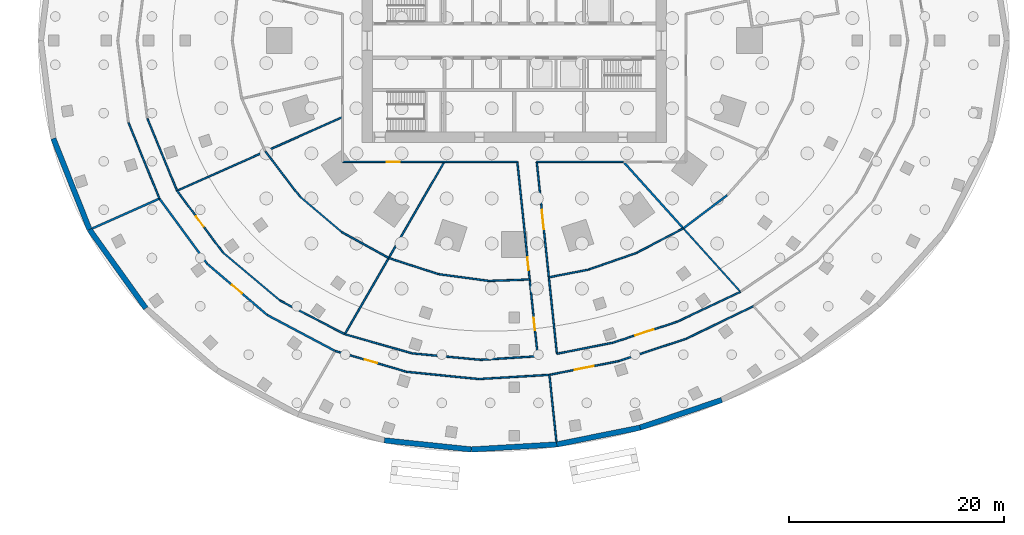
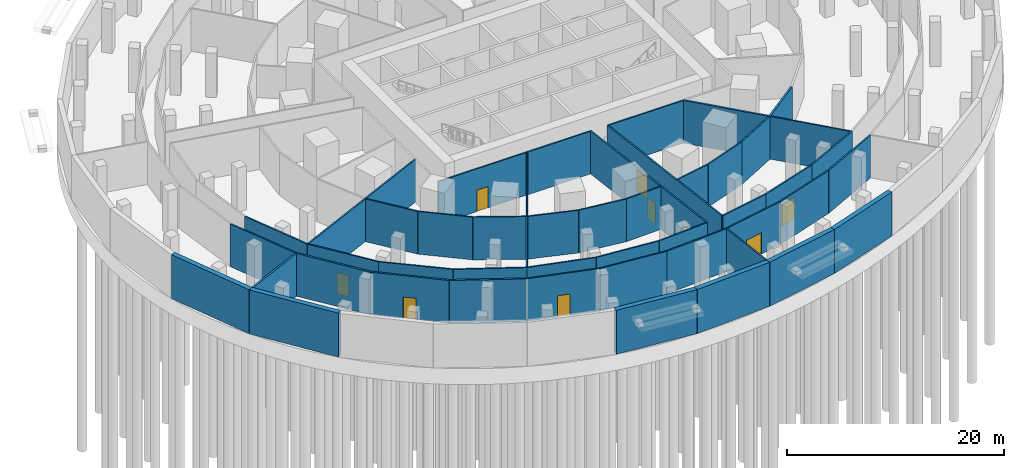
# One storey, part 4 of 11: 46 walls, 9 doors, 9 openings.
"""IFC4 building model written with IfcOpenShell, lengths in metres."""

from ifc_helpers import new_model, si_unit, direction, frame, frame_2d, origin, place, context, subcontext, project, spatial, rectangle, extrude, material, layer, layer_set, type_object, element, fill, save


model = new_model("IFC4")

# Units and contexts
model_context = context("Model", 3, precision=1e-05, world=origin(), true_north=direction((0.0, 1.0)))
body_context = subcontext(model_context, "Body", "Model", "MODEL_VIEW")
ifc_project = project(units=[si_unit("LENGTHUNIT", "METRE"), si_unit("AREAUNIT", "SQUARE_METRE"), si_unit("VOLUMEUNIT", "CUBIC_METRE"), si_unit("PLANEANGLEUNIT", "RADIAN"), si_unit("MASSUNIT", "GRAM", prefix="KILO")], contexts=[model_context])

# Site, building, storey
site_placement = place(None, origin())
site = spatial("IfcSite", under=ifc_project, at=site_placement, CompositionType="ELEMENT")
building_placement = place(site_placement, origin())
building = spatial("IfcBuilding", under=site, at=building_placement, Name="Marramba Exchange Tower", CompositionType="ELEMENT")
storey_placement = place(building_placement, frame((0.0, 0.0, -5.0)))
storey = spatial("IfcBuildingStorey", under=building, at=storey_placement, Name="B1", CompositionType="ELEMENT", Elevation=-5.0)

# Walls
ifc_material_1 = material(Name="Concrete N50", Category="concrete")
ifc_layer_1 = layer(ifc_material_1, 0.5)
ifc_layer_set_1 = layer_set([ifc_layer_1], Name="Basement retaining wall 500")
wall_type_1 = type_object("IfcWallType", Name="Basement retaining wall 500", PredefinedType="SOLIDWALL", material=ifc_layer_set_1)
wall_1_placement = place(storey_placement, frame((-42.9326171875, -9.125732421875, -0.14990234375), z_axis=(0.0, 0.0, 1.0), x_axis=(0.369269619769, -0.929322305724, 0.0)))
element("IfcWall", 1, at=wall_1_placement, inside=storey, type_object=wall_type_1, Name="Retaining wall RW1-17", PredefinedType="SOLIDWALL", context=body_context, shape_type="SweptSolid", body=[
    extrude(rectangle(XDim=9.133056640625, YDim=0.5, at=frame_2d((4.56640625, 0.0))), origin(), (0.0, 0.0, 1.0), 4.949951171875),
])
wall_2_placement = place(storey_placement, frame((-39.56005859375, -17.61328125, -0.14990234375), z_axis=(0.0, 0.0, 1.0), x_axis=(0.581684414847, -0.813414556991, 0.0)))
element("IfcWall", 2, at=wall_2_placement, inside=storey, type_object=wall_type_1, Name="Retaining wall RW1-18", PredefinedType="SOLIDWALL", context=body_context, shape_type="SweptSolid", body=[
    extrude(rectangle(XDim=9.003662109375, YDim=0.5, at=frame_2d((4.501953125, 0.0))), origin(), (0.0, 0.0, 1.0), 4.949951171875),
])
wall_3_placement = place(storey_placement, frame((-12.099609375, -37.238525390625, -0.14990234375), z_axis=(0.0, 0.0, 1.0), x_axis=(0.994576866519, -0.104004118113, 0.0)))
element("IfcWall", 3, at=wall_3_placement, inside=storey, type_object=wall_type_1, Name="Retaining wall RW1-22", PredefinedType="SOLIDWALL", context=body_context, shape_type="SweptSolid", body=[
    extrude(rectangle(XDim=8.140869140625, YDim=0.5, at=frame_2d((4.0703125, 0.0))), origin(), (0.0, 0.0, 1.0), 4.949951171875),
])
wall_4_placement = place(storey_placement, frame((-4.0029296875, -38.085205078125, -0.14990234375), z_axis=(0.0, 0.0, 1.0), x_axis=(0.998274478799, 0.058720226323, 0.0)))
element("IfcWall", 4, at=wall_4_placement, inside=storey, type_object=wall_type_1, Name="Retaining wall RW1-23", PredefinedType="SOLIDWALL", context=body_context, shape_type="SweptSolid", body=[
    extrude(rectangle(XDim=7.97021484375, YDim=0.5, at=frame_2d((3.985107421875, 0.0))), origin(), (0.0, 0.0, 1.0), 4.949951171875),
])
wall_5_placement = place(storey_placement, frame((3.95361328125, -37.6171875, -0.14990234375), z_axis=(0.0, 0.0, 1.0), x_axis=(0.980279440506, 0.197616341736, 0.0)))
element("IfcWall", 5, at=wall_5_placement, inside=storey, type_object=wall_type_1, Name="Retaining wall RW1-24", PredefinedType="SOLIDWALL", context=body_context, shape_type="SweptSolid", body=[
    extrude(rectangle(XDim=7.91650390625, YDim=0.5, at=frame_2d((3.958251953125, 0.0))), origin(), (0.0, 0.0, 1.0), 4.949951171875),
])
wall_6_placement = place(storey_placement, frame((11.714111328125, -36.052734375, -0.14990234375), z_axis=(0.0, 0.0, 1.0), x_axis=(0.94711032906, 0.320908124838, 0.0)))
element("IfcWall", 6, at=wall_6_placement, inside=storey, type_object=wall_type_1, Name="Retaining wall RW1-25", PredefinedType="SOLIDWALL", context=body_context, shape_type="SweptSolid", body=[
    extrude(rectangle(XDim=8.036865234375, YDim=0.5, at=frame_2d((4.0185546875, 0.0))), origin(), (0.0, 0.0, 1.0), 4.949951171875),
])
ifc_material_2 = material(Name="Core-filled concrete blockwork, rendered", Category="masonry")
ifc_layer_2 = layer(ifc_material_2, 0.18994140625)
ifc_layer_set_2 = layer_set([ifc_layer_2], Name="Equipment room wall 190")
wall_type_2 = type_object("IfcWallType", Name="Equipment room wall 190", PredefinedType="SOLIDWALL", material=ifc_layer_set_2)
wall_7_placement = place(storey_placement, frame((-33.054443359375, -14.716796875, 0.0), z_axis=(0.0, 0.0, 1.0), x_axis=(-0.913544372022, -0.40673908141, 0.0)))
element("IfcWall", 7, at=wall_7_placement, inside=storey, type_object=wall_type_2, Name="Equipment room wall B1 09", PredefinedType="SOLIDWALL", context=body_context, shape_type="SweptSolid", body=[
    extrude(rectangle(XDim=6.863037109375, YDim=0.18994140625, at=frame_2d((3.431640625, 0.0))), origin(), (0.0, 0.0, 1.0), 4.800048828125),
])
wall_8_placement = place(storey_placement, frame((-33.054443359375, -14.716796875, 0.0), z_axis=(0.0, 0.0, 1.0), x_axis=(0.590858446285, -0.806775245315, 0.0)))
element("IfcWall", 8, at=wall_8_placement, inside=storey, type_object=wall_type_2, Name="Equipment room wall B1 13", PredefinedType="SOLIDWALL", context=body_context, shape_type="SweptSolid", body=[
    extrude(rectangle(XDim=7.522705078125, YDim=0.18994140625, at=frame_2d((3.76123046875, 0.0))), origin(), (0.0, 0.0, 1.0), 4.800048828125),
])

# Wall, opening, door
wall_9_placement = place(storey_placement, frame((-28.609619140625, -20.785888671875, 0.0), z_axis=(0.0, 0.0, 1.0), x_axis=(0.760805512378, -0.64897994756, 0.0)))
wall_9 = element("IfcWall", 9, at=wall_9_placement, inside=storey, type_object=wall_type_2, Name="Equipment room wall B1 16", PredefinedType="SOLIDWALL", context=body_context, shape_type="SweptSolid", body=[
    extrude(rectangle(XDim=7.355224609375, YDim=0.18994140625, at=frame_2d((3.677734375, 0.0))), origin(), (0.0, 0.0, 1.0), 4.800048828125),
])
opening_1_placement = place(wall_9_placement, frame((3.052978515625, 0.0, 0.0)))
opening_1 = element("IfcOpeningElement", 10, at=opening_1_placement, cuts=wall_9, Name="Opening D13", PredefinedType="OPENING", context=body_context, shape_type="SweptSolid", body=[
    extrude(rectangle(XDim=1.199951171875, YDim=2.39990234375, at=frame_2d((0.60009765625, 1.199951171875))), frame((0.0, 0.10498046875, 0.0), z_axis=(0.0, -1.0, 0.0), x_axis=(1.0, 0.0, 0.0)), (0.0, 0.0, 1.0), 0.2099609375),
])
ifc_material_3 = material(Name="Steel-framed door", Category="steel")
door_type_1 = type_object("IfcDoorType", Name="Tenancy entry door 1200x2400", OperationType="SINGLE_SWING_LEFT", PredefinedType="DOOR", material=ifc_material_3)
door_1_placement = place(opening_1_placement, origin())
door_1 = element("IfcDoor", 11, at=door_1_placement, inside=storey, type_object=door_type_1, Name="D13 Records Store 2 B1", OperationType="SINGLE_SWING_LEFT", OverallHeight=2.39990234375, OverallWidth=1.199951171875, PredefinedType="DOOR", context=body_context, shape_type="SweptSolid", body=[
    extrude(rectangle(XDim=1.199951171875, YDim=2.39990234375, at=frame_2d((0.60009765625, 1.199951171875))), frame((0.0, 0.02490234375, 0.0), z_axis=(0.0, -1.0, 0.0), x_axis=(1.0, 0.0, 0.0)), (0.0, 0.0, 1.0), 0.050048828125),
])
fill(opening_1, door_1)

# Walls
wall_10_placement = place(storey_placement, frame((-23.013671875, -25.559326171875, 0.0), z_axis=(0.0, 0.0, 1.0), x_axis=(0.883685814524, -0.468080528551, 0.0)))
element("IfcWall", 12, at=wall_10_placement, inside=storey, type_object=wall_type_2, Name="Equipment room wall B1 18", PredefinedType="SOLIDWALL", context=body_context, shape_type="SweptSolid", body=[
    extrude(rectangle(XDim=7.155517578125, YDim=0.18994140625, at=frame_2d((3.57763671875, 0.0))), origin(), (0.0, 0.0, 1.0), 4.800048828125),
])
wall_11_placement = place(storey_placement, frame((10.174560546875, -11.300048828125, 0.0), z_axis=(0.0, 0.0, 1.0), x_axis=(0.669125067236, -0.743149812889, 0.0)))
element("IfcWall", 13, at=wall_11_placement, inside=storey, type_object=wall_type_2, Name="Equipment room wall B1 47", PredefinedType="SOLIDWALL", context=body_context, shape_type="SweptSolid", body=[
    extrude(rectangle(XDim=8.32763671875, YDim=0.18994140625, at=frame_2d((4.163818359375, 0.0))), origin(), (0.0, 0.0, 1.0), 4.800048828125),
])
wall_12_placement = place(storey_placement, frame((19.828857421875, -14.406494140625, 0.0), z_axis=(0.0, 0.0, 1.0), x_axis=(-0.798048395466, -0.602593360811, 0.0)))
element("IfcWall", 14, at=wall_12_placement, inside=storey, type_object=wall_type_2, Name="Equipment room wall B1 48", PredefinedType="SOLIDWALL", context=body_context, shape_type="SweptSolid", body=[
    extrude(rectangle(XDim=5.114990234375, YDim=0.18994140625, at=frame_2d((2.5576171875, 0.0))), origin(), (0.0, 0.0, 1.0), 4.800048828125),
])
ifc_material_4 = material(Name="Fire-rated plasterboard on steel studs, acoustic insulation", Category="steel")
ifc_layer_3 = layer(ifc_material_4, 0.14990234375)
ifc_layer_set_3 = layer_set([ifc_layer_3], Name="Tenancy wall 150")
wall_type_3 = type_object("IfcWallType", Name="Tenancy wall 150", PredefinedType="PARTITIONING", material=ifc_layer_set_3)
wall_13_placement = place(storey_placement, frame((-31.41015625, -13.984619140625, 0.0), z_axis=(0.0, 0.0, 1.0), x_axis=(-0.380714323158, 0.924692707954, 0.0)))
element("IfcWall", 15, at=wall_13_placement, inside=storey, type_object=wall_type_3, Name="Tenancy wall B1 07", PredefinedType="PARTITIONING", context=body_context, shape_type="SweptSolid", body=[
    extrude(rectangle(XDim=7.267578125, YDim=0.14990234375, at=frame_2d((3.6337890625, 0.0))), origin(), (0.0, 0.0, 1.0), 4.800048828125),
])
wall_14_placement = place(storey_placement, frame((-35.937744140625, -7.638916015625, 0.0), z_axis=(0.0, 0.0, 1.0), x_axis=(0.377265431085, -0.926105174647, 0.0)))
element("IfcWall", 16, at=wall_14_placement, inside=storey, type_object=wall_type_3, Name="Tenancy wall B1 08", PredefinedType="PARTITIONING", context=body_context, shape_type="SweptSolid", body=[
    extrude(rectangle(XDim=7.642578125, YDim=0.14990234375, at=frame_2d((3.8212890625, 0.0))), origin(), (0.0, 0.0, 1.0), 4.800048828125),
])
wall_15_placement = place(storey_placement, frame((-16.0, -7.123779296875, 0.0), z_axis=(0.0, 0.0, 1.0), x_axis=(-0.913549946031, -0.40672656184, 0.0)))
element("IfcWall", 17, at=wall_15_placement, inside=storey, type_object=wall_type_3, Name="Tenancy wall B1 10", PredefinedType="PARTITIONING", context=body_context, shape_type="SweptSolid", body=[
    extrude(rectangle(XDim=16.868408203125, YDim=0.14990234375, at=frame_2d((8.43408203125, 0.0))), origin(), (0.0, 0.0, 1.0), 4.800048828125),
])
wall_16_placement = place(storey_placement, frame((-19.97998046875, -14.516357421875, 0.0), z_axis=(0.0, 0.0, 1.0), x_axis=(-0.608481047622, 0.793568405801, 0.0)))
element("IfcWall", 18, at=wall_16_placement, inside=storey, type_object=wall_type_3, Name="Tenancy wall B1 11", PredefinedType="PARTITIONING", context=body_context, shape_type="SweptSolid", body=[
    extrude(rectangle(XDim=5.2802734375, YDim=0.14990234375, at=frame_2d((2.64013671875, 0.0))), origin(), (0.0, 0.0, 1.0), 4.800048828125),
])

# Wall, opening, door
wall_17_placement = place(storey_placement, frame((-27.1533203125, -19.72802734375, 0.0), z_axis=(0.0, 0.0, 1.0), x_axis=(-0.595449673077, 0.803392610641, 0.0)))
wall_17 = element("IfcWall", 19, at=wall_17_placement, inside=storey, type_object=wall_type_3, Name="Tenancy wall B1 12", PredefinedType="PARTITIONING", context=body_context, shape_type="SweptSolid", body=[
    extrude(rectangle(XDim=7.14892578125, YDim=0.14990234375, at=frame_2d((3.574462890625, 0.0))), origin(), (0.0, 0.0, 1.0), 4.800048828125),
])
opening_2_placement = place(wall_17_placement, frame((2.97412109375, 0.0, 0.0)))
opening_2 = element("IfcOpeningElement", 20, at=opening_2_placement, cuts=wall_17, Name="Opening D13", PredefinedType="OPENING", context=body_context, shape_type="SweptSolid", body=[
    extrude(rectangle(XDim=1.199951171875, YDim=2.39990234375, at=frame_2d((0.60009765625, 1.199951171875))), frame((0.0, 0.0849609375, 0.0), z_axis=(0.0, -1.0, 0.0), x_axis=(1.0, 0.0, 0.0)), (0.0, 0.0, 1.0), 0.169921875),
])
door_2_placement = place(opening_2_placement, origin())
door_2 = element("IfcDoor", 21, at=door_2_placement, inside=storey, type_object=door_type_1, Name="D13 Tenant Storage 2 B1", OperationType="SINGLE_SWING_RIGHT", OverallHeight=2.39990234375, OverallWidth=1.199951171875, PredefinedType="DOOR", context=body_context, shape_type="SweptSolid", body=[
    extrude(rectangle(XDim=1.199951171875, YDim=2.39990234375, at=frame_2d((0.60009765625, 1.199951171875))), frame((0.0, 0.02490234375, 0.0), z_axis=(0.0, -1.0, 0.0), x_axis=(1.0, 0.0, 0.0)), (0.0, 0.0, 1.0), 0.050048828125),
])
fill(opening_2, door_2)

# Walls
wall_18_placement = place(storey_placement, frame((-21.809326171875, -24.2216796875, 0.0), z_axis=(0.0, 0.0, 1.0), x_axis=(-0.765373437874, 0.643586435995, 0.0)))
element("IfcWall", 22, at=wall_18_placement, inside=storey, type_object=wall_type_3, Name="Tenancy wall B1 14", PredefinedType="PARTITIONING", context=body_context, shape_type="SweptSolid", body=[
    extrude(rectangle(XDim=6.982177734375, YDim=0.14990234375, at=frame_2d((3.4912109375, 0.0))), origin(), (0.0, 0.0, 1.0), 4.800048828125),
])
wall_19_placement = place(storey_placement, frame((-16.06201171875, -17.838623046875, 0.0), z_axis=(0.0, 0.0, 1.0), x_axis=(-0.762708036384, 0.646742956077, 0.0)))
element("IfcWall", 23, at=wall_19_placement, inside=storey, type_object=wall_type_3, Name="Tenancy wall B1 15", PredefinedType="PARTITIONING", context=body_context, shape_type="SweptSolid", body=[
    extrude(rectangle(XDim=5.136962890625, YDim=0.14990234375, at=frame_2d((2.568359375, 0.0))), origin(), (0.0, 0.0, 1.0), 4.800048828125),
])
wall_20_placement = place(storey_placement, frame((-15.79052734375, -27.349853515625, 0.0), z_axis=(0.0, 0.0, 1.0), x_axis=(-0.887313425563, 0.461166873068, 0.0)))
element("IfcWall", 24, at=wall_20_placement, inside=storey, type_object=wall_type_3, Name="Tenancy wall B1 17", PredefinedType="PARTITIONING", context=body_context, shape_type="SweptSolid", body=[
    extrude(rectangle(XDim=6.783203125, YDim=0.14990234375, at=frame_2d((3.3916015625, 0.0))), origin(), (0.0, 0.0, 1.0), 4.800048828125),
])
wall_21_placement = place(storey_placement, frame((-11.69091796875, -20.24951171875, 0.0), z_axis=(0.0, 0.0, 1.0), x_axis=(-0.875641162684, 0.482962269968, 0.0)))
element("IfcWall", 25, at=wall_21_placement, inside=storey, type_object=wall_type_3, Name="Tenancy wall B1 19", PredefinedType="PARTITIONING", context=body_context, shape_type="SweptSolid", body=[
    extrude(rectangle(XDim=4.991943359375, YDim=0.14990234375, at=frame_2d((2.49609375, 0.0))), origin(), (0.0, 0.0, 1.0), 4.800048828125),
])

# Wall, opening, door
wall_22_placement = place(storey_placement, frame((-16.0, -11.300048828125, 0.0), z_axis=(0.0, 0.0, 1.0), x_axis=(1.0, 0.0, 0.0)))
wall_22 = element("IfcWall", 26, at=wall_22_placement, inside=storey, type_object=wall_type_3, Name="Tenancy wall B1 20", PredefinedType="PARTITIONING", context=body_context, shape_type="SweptSolid", body=[
    extrude(rectangle(XDim=16.28271484375, YDim=0.14990234375, at=frame_2d((8.141357421875, 0.0))), origin(), (0.0, 0.0, 1.0), 4.800048828125),
])
opening_3_placement = place(wall_22_placement, frame((4.113037109375, 0.0, 0.0)))
opening_3 = element("IfcOpeningElement", 27, at=opening_3_placement, cuts=wall_22, Name="Opening D13", PredefinedType="OPENING", context=body_context, shape_type="SweptSolid", body=[
    extrude(rectangle(XDim=1.199951171875, YDim=2.39990234375, at=frame_2d((0.60009765625, 1.199951171875))), frame((0.0, 0.0849609375, 0.0), z_axis=(0.0, -1.0, 0.0), x_axis=(1.0, 0.0, 0.0)), (0.0, 0.0, 1.0), 0.169921875),
])
door_3_placement = place(opening_3_placement, origin())
door_3 = element("IfcDoor", 28, at=door_3_placement, inside=storey, type_object=door_type_1, Name="D13 Waste Room B1", OperationType="SINGLE_SWING_LEFT", OverallHeight=2.39990234375, OverallWidth=1.199951171875, PredefinedType="DOOR", context=body_context, shape_type="SweptSolid", body=[
    extrude(rectangle(XDim=1.199951171875, YDim=2.39990234375, at=frame_2d((0.60009765625, 1.199951171875))), frame((0.0, 0.02490234375, 0.0), z_axis=(0.0, -1.0, 0.0), x_axis=(1.0, 0.0, 0.0)), (0.0, 0.0, 1.0), 0.050048828125),
])
fill(opening_3, door_3)

# Walls
wall_23_placement = place(storey_placement, frame((-6.524169921875, -11.300048828125, 0.0), z_axis=(0.0, 0.0, 1.0), x_axis=(-0.499999933838, -0.866025441983, 0.0)))
element("IfcWall", 29, at=wall_23_placement, inside=storey, type_object=wall_type_3, Name="Tenancy wall B1 22", PredefinedType="PARTITIONING", context=body_context, shape_type="SweptSolid", body=[
    extrude(rectangle(XDim=18.53271484375, YDim=0.14990234375, at=frame_2d((9.266357421875, 0.0))), origin(), (0.0, 0.0, 1.0), 4.800048828125),
])
wall_24_placement = place(storey_placement, frame((-9.468017578125, -29.139404296875, 0.0), z_axis=(0.0, 0.0, 1.0), x_axis=(-0.962199616319, 0.272345182362, 0.0)))
element("IfcWall", 30, at=wall_24_placement, inside=storey, type_object=wall_type_3, Name="Tenancy wall B1 23", PredefinedType="PARTITIONING", context=body_context, shape_type="SweptSolid", body=[
    extrude(rectangle(XDim=6.57080078125, YDim=0.14990234375, at=frame_2d((3.285400390625, 0.0))), origin(), (0.0, 0.0, 1.0), 4.800048828125),
])

# Wall, opening, door
wall_25_placement = place(storey_placement, frame((-16.6904296875, -28.90869140625, 0.0), z_axis=(0.0, 0.0, 1.0), x_axis=(0.960065738287, -0.279774513076, 0.0)))
wall_25 = element("IfcWall", 31, at=wall_25_placement, inside=storey, type_object=wall_type_3, Name="Tenancy wall B1 24", PredefinedType="PARTITIONING", context=body_context, shape_type="SweptSolid", body=[
    extrude(rectangle(XDim=6.943603515625, YDim=0.14990234375, at=frame_2d((3.4716796875, 0.0))), origin(), (0.0, 0.0, 1.0), 4.800048828125),
])
opening_4_placement = place(wall_25_placement, frame((2.8720703125, 0.0, 0.0)))
opening_4 = element("IfcOpeningElement", 32, at=opening_4_placement, cuts=wall_25, Name="Opening D13", PredefinedType="OPENING", context=body_context, shape_type="SweptSolid", body=[
    extrude(rectangle(XDim=1.199951171875, YDim=2.39990234375, at=frame_2d((0.60009765625, 1.199951171875))), frame((0.0, 0.0849609375, 0.0), z_axis=(0.0, -1.0, 0.0), x_axis=(1.0, 0.0, 0.0)), (0.0, 0.0, 1.0), 0.169921875),
])
door_4_placement = place(opening_4_placement, origin())
door_4 = element("IfcDoor", 33, at=door_4_placement, inside=storey, type_object=door_type_1, Name="D13 Tenant Storage 6 B1", OperationType="SINGLE_SWING_LEFT", OverallHeight=2.39990234375, OverallWidth=1.199951171875, PredefinedType="DOOR", context=body_context, shape_type="SweptSolid", body=[
    extrude(rectangle(XDim=1.199951171875, YDim=2.39990234375, at=frame_2d((0.60009765625, 1.199951171875))), frame((0.0, 0.02490234375, 0.0), z_axis=(0.0, -1.0, 0.0), x_axis=(1.0, 0.0, 0.0)), (0.0, 0.0, 1.0), 0.050048828125),
])
fill(opening_4, door_4)

# Walls
wall_26_placement = place(storey_placement, frame((-7.067626953125, -21.752197265625, 0.0), z_axis=(0.0, 0.0, 1.0), x_axis=(-0.951027056342, 0.309107648085, 0.0)))
element("IfcWall", 34, at=wall_26_placement, inside=storey, type_object=wall_type_3, Name="Tenancy wall B1 25", PredefinedType="PARTITIONING", context=body_context, shape_type="SweptSolid", body=[
    extrude(rectangle(XDim=4.861328125, YDim=0.14990234375, at=frame_2d((2.4306640625, 0.0))), origin(), (0.0, 0.0, 1.0), 4.800048828125),
])
wall_27_placement = place(storey_placement, frame((-3.125244140625, -29.7353515625, 0.0), z_axis=(0.0, 0.0, 1.0), x_axis=(-0.995615062488, 0.093544894824, 0.0)))
element("IfcWall", 35, at=wall_27_placement, inside=storey, type_object=wall_type_3, Name="Tenancy wall B1 26", PredefinedType="PARTITIONING", context=body_context, shape_type="SweptSolid", body=[
    extrude(rectangle(XDim=6.37060546875, YDim=0.14990234375, at=frame_2d((3.185302734375, 0.0))), origin(), (0.0, 0.0, 1.0), 4.800048828125),
])
wall_28_placement = place(storey_placement, frame((-10.024169921875, -30.851318359375, 0.0), z_axis=(0.0, 0.0, 1.0), x_axis=(0.994993009021, -0.099944544618, 0.0)))
element("IfcWall", 36, at=wall_28_placement, inside=storey, type_object=wall_type_3, Name="Tenancy wall B1 27", PredefinedType="PARTITIONING", context=body_context, shape_type="SweptSolid", body=[
    extrude(rectangle(XDim=6.744384765625, YDim=0.14990234375, at=frame_2d((3.3720703125, 0.0))), origin(), (0.0, 0.0, 1.0), 4.800048828125),
])
wall_29_placement = place(storey_placement, frame((-2.352783203125, -22.385986328125, 0.0), z_axis=(0.0, 0.0, 1.0), x_axis=(-0.991085698144, 0.133225894386, 0.0)))
element("IfcWall", 37, at=wall_29_placement, inside=storey, type_object=wall_type_3, Name="Tenancy wall B1 28", PredefinedType="PARTITIONING", context=body_context, shape_type="SweptSolid", body=[
    extrude(rectangle(XDim=4.75732421875, YDim=0.14990234375, at=frame_2d((2.378662109375, 0.0))), origin(), (0.0, 0.0, 1.0), 4.800048828125),
])
wall_30_placement = place(storey_placement, frame((1.433837890625, -22.251953125, 0.0), z_axis=(0.0, 0.0, 1.0), x_axis=(-0.999374131302, -0.035374364802, 0.0)))
element("IfcWall", 38, at=wall_30_placement, inside=storey, type_object=wall_type_3, Name="Tenancy wall B1 29", PredefinedType="PARTITIONING", context=body_context, shape_type="SweptSolid", body=[
    extrude(rectangle(XDim=3.7890625, YDim=0.14990234375, at=frame_2d((1.89453125, 0.0))), origin(), (0.0, 0.0, 1.0), 4.800048828125),
])
wall_31_placement = place(storey_placement, frame((2.185302734375, -29.40087890625, 0.0), z_axis=(0.0, 0.0, 1.0), x_axis=(-0.998022470295, -0.062858164045, 0.0)))
element("IfcWall", 39, at=wall_31_placement, inside=storey, type_object=wall_type_3, Name="Tenancy wall B1 30", PredefinedType="PARTITIONING", context=body_context, shape_type="SweptSolid", body=[
    extrude(rectangle(XDim=5.321044921875, YDim=0.14990234375, at=frame_2d((2.66064453125, 0.0))), origin(), (0.0, 0.0, 1.0), 4.800048828125),
])
wall_32_placement = place(storey_placement, frame((-3.3134765625, -31.525390625, 0.0), z_axis=(0.0, 0.0, 1.0), x_axis=(0.998243483958, 0.059244803448, 0.0)))
element("IfcWall", 40, at=wall_32_placement, inside=storey, type_object=wall_type_3, Name="Tenancy wall B1 31", PredefinedType="PARTITIONING", context=body_context, shape_type="SweptSolid", body=[
    extrude(rectangle(XDim=6.597412109375, YDim=0.14990234375, at=frame_2d((3.298828125, 0.0))), origin(), (0.0, 0.0, 1.0), 4.800048828125),
])

# Wall, openings, doors
wall_33_placement = place(storey_placement, frame((0.28271484375, -11.300048828125, 0.0), z_axis=(0.0, 0.0, 1.0), x_axis=(0.104534657703, -0.994521244287, 0.0)))
wall_33 = element("IfcWall", 41, at=wall_33_placement, inside=storey, type_object=wall_type_3, Name="Tenancy wall B1 32", PredefinedType="PARTITIONING", context=body_context, shape_type="SweptSolid", body=[
    extrude(rectangle(XDim=18.200439453125, YDim=0.14990234375, at=frame_2d((9.10009765625, 0.0))), origin(), (0.0, 0.0, 1.0), 4.800048828125),
])
opening_5_placement = place(wall_33_placement, frame((8.949951171875, 0.0, 0.0)))
opening_5 = element("IfcOpeningElement", 42, at=opening_5_placement, cuts=wall_33, Name="Opening D13", PredefinedType="OPENING", context=body_context, shape_type="SweptSolid", body=[
    extrude(rectangle(XDim=1.199951171875, YDim=2.39990234375, at=frame_2d((0.60009765625, 1.199951171875))), frame((0.0, 0.0849609375, 0.0), z_axis=(0.0, -1.0, 0.0), x_axis=(1.0, 0.0, 0.0)), (0.0, 0.0, 1.0), 0.169921875),
])
opening_6_placement = place(wall_33_placement, frame((14.5859375, 0.0, 0.0)))
opening_6 = element("IfcOpeningElement", 43, at=opening_6_placement, cuts=wall_33, Name="Opening D13", PredefinedType="OPENING", context=body_context, shape_type="SweptSolid", body=[
    extrude(rectangle(XDim=1.199951171875, YDim=2.39990234375, at=frame_2d((0.60009765625, 1.199951171875))), frame((0.0, 0.0849609375, 0.0), z_axis=(0.0, -1.0, 0.0), x_axis=(1.0, 0.0, 0.0)), (0.0, 0.0, 1.0), 0.169921875),
])
door_5_placement = place(opening_5_placement, origin())
door_5 = element("IfcDoor", 44, at=door_5_placement, inside=storey, type_object=door_type_1, Name="D13 Recycling Room B1", OperationType="SINGLE_SWING_RIGHT", OverallHeight=2.39990234375, OverallWidth=1.199951171875, PredefinedType="DOOR", context=body_context, shape_type="SweptSolid", body=[
    extrude(rectangle(XDim=1.199951171875, YDim=2.39990234375, at=frame_2d((0.60009765625, 1.199951171875))), frame((0.0, 0.02490234375, 0.0), z_axis=(0.0, -1.0, 0.0), x_axis=(1.0, 0.0, 0.0)), (0.0, 0.0, 1.0), 0.050048828125),
])
fill(opening_5, door_5)
door_6_placement = place(opening_6_placement, origin())
door_6 = element("IfcDoor", 45, at=door_6_placement, inside=storey, type_object=door_type_1, Name="D13 Tenant Storage 3 B1", OperationType="SINGLE_SWING_RIGHT", OverallHeight=2.39990234375, OverallWidth=1.199951171875, PredefinedType="DOOR", context=body_context, shape_type="SweptSolid", body=[
    extrude(rectangle(XDim=1.199951171875, YDim=2.39990234375, at=frame_2d((0.60009765625, 1.199951171875))), frame((0.0, 0.02490234375, 0.0), z_axis=(0.0, -1.0, 0.0), x_axis=(1.0, 0.0, 0.0)), (0.0, 0.0, 1.0), 0.050048828125),
])
fill(opening_6, door_6)

# Wall
wall_34_placement = place(storey_placement, frame((3.2724609375, -31.134521484375, 0.0), z_axis=(0.0, 0.0, 1.0), x_axis=(0.10452654069, -0.994522097437, 0.0)))
element("IfcWall", 46, at=wall_34_placement, inside=storey, type_object=wall_type_3, Name="Tenancy wall B1 33", PredefinedType="PARTITIONING", context=body_context, shape_type="SweptSolid", body=[
    extrude(rectangle(XDim=6.264404296875, YDim=0.14990234375, at=frame_2d((3.13232421875, 0.0))), origin(), (0.0, 0.0, 1.0), 4.800048828125),
])

# Wall, opening, door
wall_35_placement = place(storey_placement, frame((3.970703125, -29.169189453125, 0.0), z_axis=(0.0, 0.0, 1.0), x_axis=(-0.104531296456, 0.994521597584, 0.0)))
wall_35 = element("IfcWall", 47, at=wall_35_placement, inside=storey, type_object=wall_type_3, Name="Tenancy wall B1 34", PredefinedType="PARTITIONING", context=body_context, shape_type="SweptSolid", body=[
    extrude(rectangle(XDim=17.967529296875, YDim=0.14990234375, at=frame_2d((8.98388671875, 0.0))), origin(), (0.0, 0.0, 1.0), 4.800048828125),
])
opening_7_placement = place(wall_35_placement, frame((11.6640625, 0.0, 0.0)))
opening_7 = element("IfcOpeningElement", 48, at=opening_7_placement, cuts=wall_35, Name="Opening D18", PredefinedType="OPENING", context=body_context, shape_type="SweptSolid", body=[
    extrude(rectangle(XDim=1.800048828125, YDim=2.39990234375, at=frame_2d((0.89990234375, 1.199951171875))), frame((0.0, 0.0849609375, 0.0), z_axis=(0.0, -1.0, 0.0), x_axis=(1.0, 0.0, 0.0)), (0.0, 0.0, 1.0), 0.169921875),
])
door_type_2 = type_object("IfcDoorType", Name="Door pair 1800x2400", OperationType="DOUBLE_DOOR_SINGLE_SWING", PredefinedType="DOOR", material=ifc_material_3)
door_7_placement = place(opening_7_placement, origin())
door_7 = element("IfcDoor", 49, at=door_7_placement, inside=storey, type_object=door_type_2, Name="D18 Maintenance Workshop B1", OperationType="DOUBLE_DOOR_SINGLE_SWING", OverallHeight=2.39990234375, OverallWidth=1.800048828125, PredefinedType="DOOR", context=body_context, shape_type="SweptSolid", body=[
    extrude(rectangle(XDim=1.800048828125, YDim=2.39990234375, at=frame_2d((0.89990234375, 1.199951171875))), frame((0.0, 0.02490234375, 0.0), z_axis=(0.0, -1.0, 0.0), x_axis=(1.0, 0.0, 0.0)), (0.0, 0.0, 1.0), 0.050048828125),
])
fill(opening_7, door_7)

wall_36_placement = place(storey_placement, frame((3.2724609375, -31.134521484375, 0.0), z_axis=(0.0, 0.0, 1.0), x_axis=(0.980908787451, 0.194468379696, 0.0)))
wall_36 = element("IfcWall", 50, at=wall_36_placement, inside=storey, type_object=wall_type_3, Name="Tenancy wall B1 35", PredefinedType="PARTITIONING", context=body_context, shape_type="SweptSolid", body=[
    extrude(rectangle(XDim=6.5546875, YDim=0.14990234375, at=frame_2d((3.27734375, 0.0))), origin(), (0.0, 0.0, 1.0), 4.800048828125),
])
opening_8_placement = place(wall_36_placement, frame((2.402099609375, 0.0, 0.0)))
opening_8 = element("IfcOpeningElement", 51, at=opening_8_placement, cuts=wall_36, Name="Opening D18", PredefinedType="OPENING", context=body_context, shape_type="SweptSolid", body=[
    extrude(rectangle(XDim=1.800048828125, YDim=2.39990234375, at=frame_2d((0.89990234375, 1.199951171875))), frame((0.0, 0.0849609375, 0.0), z_axis=(0.0, -1.0, 0.0), x_axis=(1.0, 0.0, 0.0)), (0.0, 0.0, 1.0), 0.169921875),
])
door_8_placement = place(opening_8_placement, origin())
door_8 = element("IfcDoor", 52, at=door_8_placement, inside=storey, type_object=door_type_2, Name="D18 Bulk Store 3 B1", OperationType="DOUBLE_DOOR_SINGLE_SWING", OverallHeight=2.39990234375, OverallWidth=1.800048828125, PredefinedType="DOOR", context=body_context, shape_type="SweptSolid", body=[
    extrude(rectangle(XDim=1.800048828125, YDim=2.39990234375, at=frame_2d((0.89990234375, 1.199951171875))), frame((0.0, 0.02490234375, 0.0), z_axis=(0.0, -1.0, 0.0), x_axis=(1.0, 0.0, 0.0)), (0.0, 0.0, 1.0), 0.050048828125),
])
fill(opening_8, door_8)

# Walls
wall_37_placement = place(storey_placement, frame((9.145751953125, -28.14794921875, 0.0), z_axis=(0.0, 0.0, 1.0), x_axis=(-0.98107946534, -0.193605482074, 0.0)))
element("IfcWall", 53, at=wall_37_placement, inside=storey, type_object=wall_type_3, Name="Tenancy wall B1 36", PredefinedType="PARTITIONING", context=body_context, shape_type="SweptSolid", body=[
    extrude(rectangle(XDim=5.27490234375, YDim=0.14990234375, at=frame_2d((2.637451171875, 0.0))), origin(), (0.0, 0.0, 1.0), 4.800048828125),
])
wall_38_placement = place(storey_placement, frame((6.9306640625, -21.33056640625, 0.0), z_axis=(0.0, 0.0, 1.0), x_axis=(-0.981789574209, -0.189971660978, 0.0)))
element("IfcWall", 54, at=wall_38_placement, inside=storey, type_object=wall_type_3, Name="Tenancy wall B1 37", PredefinedType="PARTITIONING", context=body_context, shape_type="SweptSolid", body=[
    extrude(rectangle(XDim=3.777099609375, YDim=0.14990234375, at=frame_2d((1.888671875, 0.0))), origin(), (0.0, 0.0, 1.0), 4.800048828125),
])
wall_39_placement = place(storey_placement, frame((11.409912109375, -19.762451171875, 0.0), z_axis=(0.0, 0.0, 1.0), x_axis=(-0.943833491255, -0.33042145933, 0.0)))
element("IfcWall", 55, at=wall_39_placement, inside=storey, type_object=wall_type_3, Name="Tenancy wall B1 38", PredefinedType="PARTITIONING", context=body_context, shape_type="SweptSolid", body=[
    extrude(rectangle(XDim=4.745849609375, YDim=0.14990234375, at=frame_2d((2.373046875, 0.0))), origin(), (0.0, 0.0, 1.0), 4.800048828125),
])
wall_40_placement = place(storey_placement, frame((9.701904296875, -29.85986328125, 0.0), z_axis=(0.0, 0.0, 1.0), x_axis=(0.949329573652, 0.314282294426, 0.0)))
element("IfcWall", 56, at=wall_40_placement, inside=storey, type_object=wall_type_3, Name="Tenancy wall B1 39", PredefinedType="PARTITIONING", context=body_context, shape_type="SweptSolid", body=[
    extrude(rectangle(XDim=6.665771484375, YDim=0.14990234375, at=frame_2d((3.3330078125, 0.0))), origin(), (0.0, 0.0, 1.0), 4.800048828125),
])

# Wall, opening, door
wall_41_placement = place(storey_placement, frame((15.1298828125, -26.2060546875, 0.0), z_axis=(0.0, 0.0, 1.0), x_axis=(-0.951171714446, -0.308662225805, 0.0)))
wall_41 = element("IfcWall", 57, at=wall_41_placement, inside=storey, type_object=wall_type_3, Name="Tenancy wall B1 40", PredefinedType="PARTITIONING", context=body_context, shape_type="SweptSolid", body=[
    extrude(rectangle(XDim=6.291259765625, YDim=0.14990234375, at=frame_2d((3.1455078125, 0.0))), origin(), (0.0, 0.0, 1.0), 4.800048828125),
])
opening_9_placement = place(wall_41_placement, frame((2.27099609375, 0.0, 0.0)))
opening_9 = element("IfcOpeningElement", 58, at=opening_9_placement, cuts=wall_41, Name="Opening D18", PredefinedType="OPENING", context=body_context, shape_type="SweptSolid", body=[
    extrude(rectangle(XDim=1.800048828125, YDim=2.39990234375, at=frame_2d((0.89990234375, 1.199951171875))), frame((0.0, 0.0849609375, 0.0), z_axis=(0.0, -1.0, 0.0), x_axis=(1.0, 0.0, 0.0)), (0.0, 0.0, 1.0), 0.169921875),
])
door_9_placement = place(opening_9_placement, origin())
door_9 = element("IfcDoor", 59, at=door_9_placement, inside=storey, type_object=door_type_2, Name="D18 Bulk Store 2 B1", OperationType="DOUBLE_DOOR_SINGLE_SWING", OverallHeight=2.39990234375, OverallWidth=1.800048828125, PredefinedType="DOOR", context=body_context, shape_type="SweptSolid", body=[
    extrude(rectangle(XDim=1.800048828125, YDim=2.39990234375, at=frame_2d((0.89990234375, 1.199951171875))), frame((0.0, 0.02490234375, 0.0), z_axis=(0.0, -1.0, 0.0), x_axis=(1.0, 0.0, 0.0)), (0.0, 0.0, 1.0), 0.050048828125),
])
fill(opening_9, door_9)

# Walls
wall_42_placement = place(storey_placement, frame((2.092529296875, -11.300048828125, 0.0), z_axis=(0.0, 0.0, 1.0), x_axis=(1.0, 0.0, 0.0)))
element("IfcWall", 60, at=wall_42_placement, inside=storey, type_object=wall_type_3, Name="Tenancy wall B1 41", PredefinedType="PARTITIONING", context=body_context, shape_type="SweptSolid", body=[
    extrude(rectangle(XDim=8.08203125, YDim=0.14990234375, at=frame_2d((4.041015625, 0.0))), origin(), (0.0, 0.0, 1.0), 4.800048828125),
])
wall_43_placement = place(storey_placement, frame((15.746826171875, -17.48876953125, 0.0), z_axis=(0.0, 0.0, 1.0), x_axis=(-0.88566655962, -0.464321812077, 0.0)))
element("IfcWall", 61, at=wall_43_placement, inside=storey, type_object=wall_type_3, Name="Tenancy wall B1 42", PredefinedType="PARTITIONING", context=body_context, shape_type="SweptSolid", body=[
    extrude(rectangle(XDim=4.896728515625, YDim=0.14990234375, at=frame_2d((2.4482421875, 0.0))), origin(), (0.0, 0.0, 1.0), 4.800048828125),
])
wall_44_placement = place(storey_placement, frame((16.030029296875, -27.764892578125, 0.0), z_axis=(0.0, 0.0, 1.0), x_axis=(0.899868927616, 0.436160421303, 0.0)))
element("IfcWall", 62, at=wall_44_placement, inside=storey, type_object=wall_type_3, Name="Tenancy wall B1 43", PredefinedType="PARTITIONING", context=body_context, shape_type="SweptSolid", body=[
    extrude(rectangle(XDim=6.939208984375, YDim=0.14990234375, at=frame_2d((3.4697265625, 0.0))), origin(), (0.0, 0.0, 1.0), 4.800048828125),
])
wall_45_placement = place(storey_placement, frame((21.070068359375, -23.400634765625, 0.0), z_axis=(0.0, 0.0, 1.0), x_axis=(-0.90422911436, -0.427047665657, 0.0)))
element("IfcWall", 63, at=wall_45_placement, inside=storey, type_object=wall_type_3, Name="Tenancy wall B1 44", PredefinedType="PARTITIONING", context=body_context, shape_type="SweptSolid", body=[
    extrude(rectangle(XDim=6.5693359375, YDim=0.14990234375, at=frame_2d((3.28466796875, 0.0))), origin(), (0.0, 0.0, 1.0), 4.800048828125),
])
wall_46_placement = place(storey_placement, frame((15.746826171875, -17.48876953125, 0.0), z_axis=(0.0, 0.0, 1.0), x_axis=(0.669142742488, -0.743133897878, 0.0)))
element("IfcWall", 64, at=wall_46_placement, inside=storey, type_object=wall_type_3, Name="Tenancy wall B1 45", PredefinedType="PARTITIONING", context=body_context, shape_type="SweptSolid", body=[
    extrude(rectangle(XDim=7.955322265625, YDim=0.14990234375, at=frame_2d((3.9775390625, 0.0))), origin(), (0.0, 0.0, 1.0), 4.800048828125),
])

save(model, "model.ifc")
